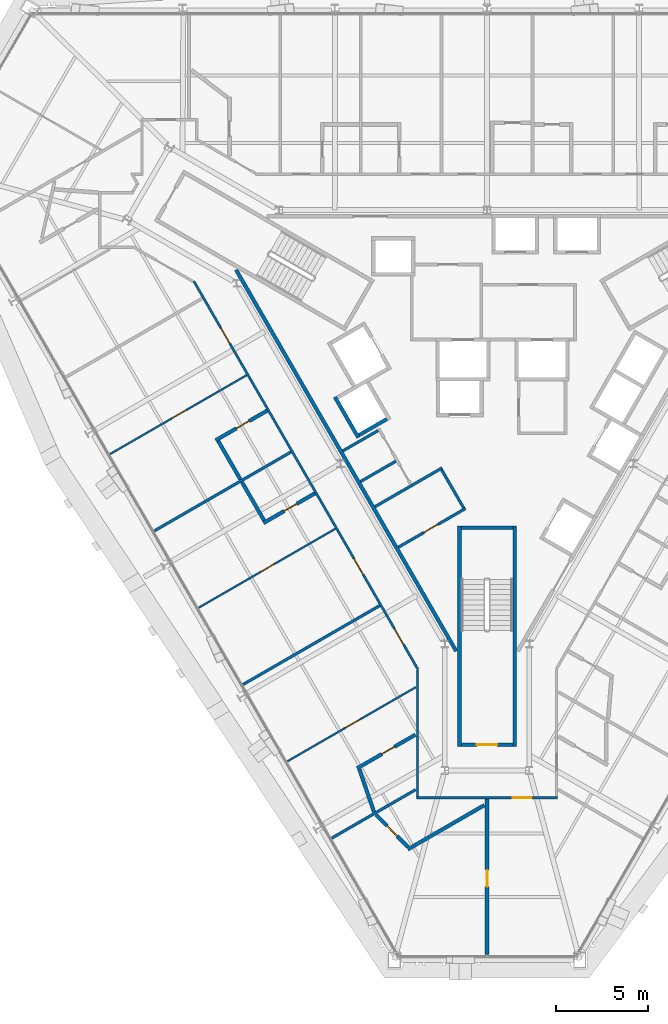
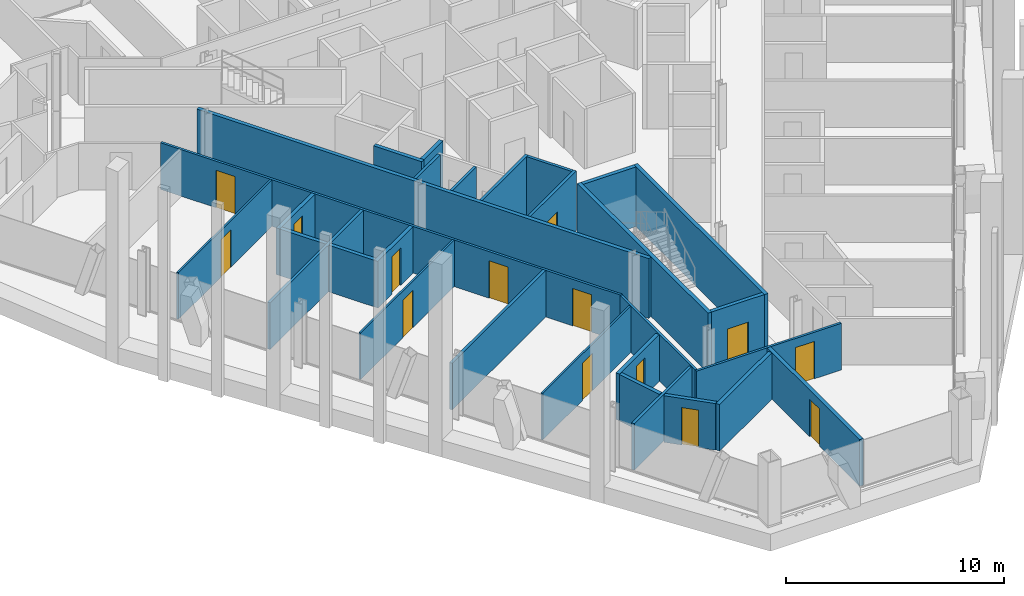
# One storey, part 10 of 17: 30 walls, 14 doors, 14 openings.
"""IFC4 building model written with IfcOpenShell, lengths in metres."""

from ifc_helpers import new_model, si_unit, direction, frame, frame_2d, origin, place, context, subcontext, project, spatial, rectangle, extrude, material, layer, layer_set, type_object, element, fill, save


model = new_model("IFC4")

# Units and contexts
model_context = context("Model", 3, precision=1e-05, world=origin(), true_north=direction((0.0, 1.0)))
body_context = subcontext(model_context, "Body", "Model", "MODEL_VIEW")
ifc_project = project(units=[si_unit("LENGTHUNIT", "METRE"), si_unit("AREAUNIT", "SQUARE_METRE"), si_unit("VOLUMEUNIT", "CUBIC_METRE"), si_unit("PLANEANGLEUNIT", "RADIAN"), si_unit("MASSUNIT", "GRAM", prefix="KILO")], contexts=[model_context])

# Site, building, storey
site_placement = place(None, origin())
site = spatial("IfcSite", under=ifc_project, at=site_placement, CompositionType="ELEMENT")
building_placement = place(site_placement, origin())
building = spatial("IfcBuilding", under=site, at=building_placement, Name="Verrane Prism Tower", CompositionType="ELEMENT")
storey_placement = place(building_placement, frame((0.0, 0.0, 132.39990234375)))
storey = spatial("IfcBuildingStorey", under=building, at=storey_placement, Name="L32", CompositionType="ELEMENT", Elevation=132.39990234375)

# Wall
ifc_material_1 = material(Name="Gypsum board partition", Category="other")
ifc_layer_1 = layer(ifc_material_1, 0.199951171875)
ifc_layer_set_1 = layer_set([ifc_layer_1], Name="CW-200 core boundary wall 2 h")
wall_type_1 = type_object("IfcWallType", Name="CW-200 core boundary wall 2 h", PredefinedType="PARTITIONING", material=ifc_layer_set_1)
wall_1_placement = place(storey_placement, frame((-13.66357421875, 5.946044921875, 0.0), z_axis=(0.0, 0.0, 1.0), x_axis=(0.499994327219, -0.866028678941, 0.0)))
element("IfcWall", 1, at=wall_1_placement, inside=storey, type_object=wall_type_1, Name="Core boundary wall CW3-001", PredefinedType="PARTITIONING", context=body_context, shape_type="SweptSolid", body=[
    extrude(rectangle(XDim=23.967529296875, YDim=0.199951171875, at=frame_2d((11.98388671875, 0.0))), origin(), (0.0, 0.0, 1.0), 3.35009765625),
])

# Wall, opening, door
ifc_material_2 = material(Name="Concrete C40/50", Category="concrete")
ifc_layer_2 = layer(ifc_material_2, 0.199951171875)
ifc_layer_set_2 = layer_set([ifc_layer_2], Name="CW-200 stair core wall concrete C40/50 3 h")
wall_type_2 = type_object("IfcWallType", Name="CW-200 stair core wall concrete C40/50 3 h", PredefinedType="PARTITIONING", material=ifc_layer_set_2)
wall_2_placement = place(storey_placement, frame((-1.39990234375, -19.89990234375, 0.0), z_axis=(0.0, 0.0, 1.0), x_axis=(1.0, 0.0, 0.0)))
wall_2 = element("IfcWall", 2, at=wall_2_placement, inside=storey, type_object=wall_type_2, Name="Stair 3 enclosure wall", PredefinedType="PARTITIONING", context=body_context, shape_type="SweptSolid", body=[
    extrude(rectangle(XDim=2.7998046875, YDim=0.199951171875, at=frame_2d((1.39990234375, 0.0))), origin(), (0.0, 0.0, 1.0), 3.35009765625),
])
opening_1_placement = place(wall_2_placement, frame((0.85009765625, 0.0, 0.0)))
opening_1 = element("IfcOpeningElement", 3, at=opening_1_placement, cuts=wall_2, Name="Opening D32502", PredefinedType="OPENING", context=body_context, shape_type="SweptSolid", body=[
    extrude(rectangle(XDim=1.10009765625, YDim=2.10009765625, at=frame_2d((0.550048828125, 1.050048828125))), frame((0.0, 0.10986328125, 0.0), z_axis=(0.0, -1.0, 0.0), x_axis=(1.0, 0.0, 0.0)), (0.0, 0.0, 1.0), 0.219970703125),
])
ifc_material_3 = material(Name="Timber veneered door leaf", Category="wood")
door_type_1 = type_object("IfcDoorType", Name="DR-1100x2100 FD90 single leaf stair", OperationType="NOTDEFINED", PredefinedType="DOOR", material=ifc_material_3)
door_1_placement = place(opening_1_placement, origin())
door_1 = element("IfcDoor", 4, at=door_1_placement, inside=storey, type_object=door_type_1, Name="Stair 3 door", OperationType="SINGLE_SWING_LEFT", OverallHeight=2.10009765625, OverallWidth=1.10009765625, PredefinedType="DOOR", context=body_context, shape_type="SweptSolid", body=[
    extrude(rectangle(XDim=1.10009765625, YDim=2.10009765625, at=frame_2d((0.550048828125, 1.050048828125))), frame((0.0, 0.02490234375, 0.0), z_axis=(0.0, -1.0, 0.0), x_axis=(1.0, 0.0, 0.0)), (0.0, 0.0, 1.0), 0.050048828125),
])
fill(opening_1, door_1)

# Walls
for number, where, z_axis, x_axis, name in (
    (5, (1.5, -8.0, 0.0), (0.0, 0.0, 1.0), (0.0, -1.0, 0.0), "Stair 3 enclosure wall"),
    (6, (-1.5, -8.0, 0.0), (0.0, 0.0, 1.0), (0.0, -1.0, 0.0), "Stair 3 enclosure wall"),
):
    element("IfcWall", number, at=place(storey_placement, frame(where, z_axis=z_axis, x_axis=x_axis)), inside=storey, type_object=wall_type_2, Name=name, PredefinedType="PARTITIONING", context=body_context, shape_type="SweptSolid", body=[
        extrude(rectangle(XDim=12.0, YDim=0.199951171875, at=frame_2d((6.0, 0.0))), origin(), (0.0, 0.0, 1.0), 3.35009765625),
    ])
wall_3_placement = place(storey_placement, frame((-1.39990234375, -8.10009765625, 0.0), z_axis=(0.0, 0.0, 1.0), x_axis=(1.0, 0.0, 0.0)))
element("IfcWall", 7, at=wall_3_placement, inside=storey, type_object=wall_type_2, Name="Stair 3 enclosure wall", PredefinedType="PARTITIONING", context=body_context, shape_type="SweptSolid", body=[
    extrude(rectangle(XDim=2.7998046875, YDim=0.199951171875, at=frame_2d((1.39990234375, 0.0))), origin(), (0.0, 0.0, 1.0), 3.35009765625),
])
ifc_material_4 = material(Name="Gypsum board shaft wall assembly", Category="other")
ifc_layer_3 = layer(ifc_material_4, 0.199951171875)
ifc_layer_set_3 = layer_set([ifc_layer_3], Name="HW-200 lift shaft wall 2 h")
wall_type_3 = type_object("IfcWallType", Name="HW-200 lift shaft wall 2 h", PredefinedType="PARTITIONING", material=ifc_layer_set_3)
wall_4_placement = place(storey_placement, frame((-6.9697265625, -3.048095703125, 0.0), z_axis=(0.0, 0.0, 1.0), x_axis=(0.866036909293, 0.499980071345, 0.0)))
element("IfcWall", 8, at=wall_4_placement, inside=storey, type_object=wall_type_3, Name="Lift shaft wall", PredefinedType="PARTITIONING", context=body_context, shape_type="SweptSolid", body=[
    extrude(rectangle(XDim=1.75, YDim=0.199951171875, at=frame_2d((0.875, 0.0))), origin(), (0.0, 0.0, 1.0), 3.60009765625),
])
wall_5_placement = place(storey_placement, frame((-7.00634765625, -3.184814453125, 0.0), z_axis=(0.0, 0.0, 1.0), x_axis=(-0.499990435942, 0.866030925526, 0.0)))
element("IfcWall", 9, at=wall_5_placement, inside=storey, type_object=wall_type_3, Name="Lift shaft wall", PredefinedType="PARTITIONING", context=body_context, shape_type="SweptSolid", body=[
    extrude(rectangle(XDim=2.5498046875, YDim=0.199951171875, at=frame_2d((1.27490234375, 0.0))), origin(), (0.0, 0.0, 1.0), 3.60009765625),
])

# Wall, opening, door
ifc_material_5 = material(Name="Gypsum board partition", Category="other")
ifc_layer_4 = layer(ifc_material_5, 0.10009765625)
ifc_layer_set_4 = layer_set([ifc_layer_4], Name="PW-100 room partition")
wall_type_4 = type_object("IfcWallType", Name="PW-100 room partition", PredefinedType="PARTITIONING", material=ifc_layer_set_4)
wall_6_placement = place(storey_placement, frame((-13.084228515625, 0.2158203125, 0.0), z_axis=(0.0, 0.0, 1.0), x_axis=(-0.866017120224, -0.500014347272, 0.0)))
wall_6 = element("IfcWall", 10, at=wall_6_placement, inside=storey, type_object=wall_type_4, Name="Room partition 011", PredefinedType="PARTITIONING", context=body_context, shape_type="SweptSolid", body=[
    extrude(rectangle(XDim=8.591552734375, YDim=0.10009765625, at=frame_2d((4.2958984375, 0.0))), origin(), (0.0, 0.0, 1.0), 2.613037109375),
])
opening_2_placement = place(wall_6_placement, frame((3.78759765625, 0.0, 0.0)))
opening_2 = element("IfcOpeningElement", 11, at=opening_2_placement, cuts=wall_6, Name="Opening D32038", PredefinedType="OPENING", context=body_context, shape_type="SweptSolid", body=[
    extrude(rectangle(XDim=0.89990234375, YDim=2.10009765625, at=frame_2d((0.449951171875, 1.050048828125))), frame((0.0, 0.06005859375, 0.0), z_axis=(0.0, -1.0, 0.0), x_axis=(1.0, 0.0, 0.0)), (0.0, 0.0, 1.0), 0.1201171875),
])
ifc_material_6 = material(Name="Timber veneered door leaf", Category="wood")
door_type_2 = type_object("IfcDoorType", Name="DR-900x2100 single leaf inner", OperationType="NOTDEFINED", PredefinedType="DOOR", material=ifc_material_6)
door_2_placement = place(opening_2_placement, origin())
door_2 = element("IfcDoor", 12, at=door_2_placement, inside=storey, type_object=door_type_2, Name="Suite Living Room door", OperationType="SINGLE_SWING_LEFT", OverallHeight=2.10009765625, OverallWidth=0.89990234375, PredefinedType="DOOR", context=body_context, shape_type="SweptSolid", body=[
    extrude(rectangle(XDim=0.89990234375, YDim=2.10009765625, at=frame_2d((0.449951171875, 1.050048828125))), frame((0.0, 0.02490234375, 0.0), z_axis=(0.0, -1.0, 0.0), x_axis=(1.0, 0.0, 0.0)), (0.0, 0.0, 1.0), 0.050048828125),
])
fill(opening_2, door_2)

wall_7_placement = place(storey_placement, frame((-15.69580078125, -12.444091796875, 0.0), z_axis=(0.0, 0.0, 1.0), x_axis=(0.866024224461, 0.500002042643, 0.0)))
wall_7 = element("IfcWall", 13, at=wall_7_placement, inside=storey, type_object=wall_type_4, Name="Room partition 024", PredefinedType="PARTITIONING", context=body_context, shape_type="SweptSolid", body=[
    extrude(rectangle(XDim=8.591796875, YDim=0.10009765625, at=frame_2d((4.2958984375, 0.0))), origin(), (0.0, 0.0, 1.0), 2.613037109375),
])
opening_3_placement = place(wall_7_placement, frame((3.904052734375, 0.0, 0.0)))
opening_3 = element("IfcOpeningElement", 14, at=opening_3_placement, cuts=wall_7, Name="Opening D32041", PredefinedType="OPENING", context=body_context, shape_type="SweptSolid", body=[
    extrude(rectangle(XDim=0.89990234375, YDim=2.10009765625, at=frame_2d((0.449951171875, 1.050048828125))), frame((0.0, 0.06005859375, 0.0), z_axis=(0.0, -1.0, 0.0), x_axis=(1.0, 0.0, 0.0)), (0.0, 0.0, 1.0), 0.1201171875),
])
door_3_placement = place(opening_3_placement, origin())
door_3 = element("IfcDoor", 15, at=door_3_placement, inside=storey, type_object=door_type_2, Name="Suite Living Room door", OperationType="SINGLE_SWING_LEFT", OverallHeight=2.10009765625, OverallWidth=0.89990234375, PredefinedType="DOOR", context=body_context, shape_type="SweptSolid", body=[
    extrude(rectangle(XDim=0.89990234375, YDim=2.10009765625, at=frame_2d((0.449951171875, 1.050048828125))), frame((0.0, 0.02490234375, 0.0), z_axis=(0.0, -1.0, 0.0), x_axis=(1.0, 0.0, 0.0)), (0.0, 0.0, 1.0), 0.050048828125),
])
fill(opening_3, door_3)

wall_8_placement = place(storey_placement, frame((-3.87451171875, -16.7724609375, 0.0), z_axis=(0.0, 0.0, 1.0), x_axis=(-0.866048113244, -0.499960663999, 0.0)))
wall_8 = element("IfcWall", 16, at=wall_8_placement, inside=storey, type_object=wall_type_4, Name="Room partition 033", PredefinedType="PARTITIONING", context=body_context, shape_type="SweptSolid", body=[
    extrude(rectangle(XDim=8.073486328125, YDim=0.10009765625, at=frame_2d((4.03662109375, 0.0))), origin(), (0.0, 0.0, 1.0), 2.613037109375),
])
opening_4_placement = place(wall_8_placement, frame((3.519775390625, 0.0, 0.0)))
opening_4 = element("IfcOpeningElement", 17, at=opening_4_placement, cuts=wall_8, Name="Opening D32044", PredefinedType="OPENING", context=body_context, shape_type="SweptSolid", body=[
    extrude(rectangle(XDim=0.89990234375, YDim=2.10009765625, at=frame_2d((0.449951171875, 1.050048828125))), frame((0.0, 0.06005859375, 0.0), z_axis=(0.0, -1.0, 0.0), x_axis=(1.0, 0.0, 0.0)), (0.0, 0.0, 1.0), 0.1201171875),
])
door_4_placement = place(opening_4_placement, origin())
door_4 = element("IfcDoor", 18, at=door_4_placement, inside=storey, type_object=door_type_2, Name="Suite Living Room door", OperationType="SINGLE_SWING_LEFT", OverallHeight=2.10009765625, OverallWidth=0.89990234375, PredefinedType="DOOR", context=body_context, shape_type="SweptSolid", body=[
    extrude(rectangle(XDim=0.89990234375, YDim=2.10009765625, at=frame_2d((0.449951171875, 1.050048828125))), frame((0.0, 0.02490234375, 0.0), z_axis=(0.0, -1.0, 0.0), x_axis=(1.0, 0.0, 0.0)), (0.0, 0.0, 1.0), 0.050048828125),
])
fill(opening_4, door_4)

# Wall, openings, doors
ifc_material_7 = material(Name="Gypsum board partition", Category="other")
ifc_layer_5 = layer(ifc_material_7, 0.125)
ifc_layer_set_5 = layer_set([ifc_layer_5], Name="PW-125 corridor wall 1 h")
wall_type_5 = type_object("IfcWallType", Name="PW-125 corridor wall 1 h", PredefinedType="PARTITIONING", material=ifc_layer_set_5)
wall_9_placement = place(storey_placement, frame((-3.755859375, -15.816162109375, 0.0), z_axis=(0.0, 0.0, 1.0), x_axis=(-0.499992829944, 0.866029543379, 0.0)))
wall_9 = element("IfcWall", 19, at=wall_9_placement, inside=storey, type_object=wall_type_5, Name="Corridor wall 021", PredefinedType="PARTITIONING", context=body_context, shape_type="SweptSolid", body=[
    extrude(rectangle(XDim=24.412841796875, YDim=0.125, at=frame_2d((12.20654296875, 0.0))), origin(), (0.0, 0.0, 1.0), 2.613037109375),
])
opening_5_placement = place(wall_9_placement, frame((20.4775390625, 0.0, 0.0)))
opening_5 = element("IfcOpeningElement", 20, at=opening_5_placement, cuts=wall_9, Name="Opening D32037", PredefinedType="OPENING", context=body_context, shape_type="SweptSolid", body=[
    extrude(rectangle(XDim=1.0, YDim=2.10009765625, at=frame_2d((0.5, 1.050048828125))), frame((0.0, 0.072509765625, 0.0), z_axis=(0.0, -1.0, 0.0), x_axis=(1.0, 0.0, 0.0)), (0.0, 0.0, 1.0), 0.14501953125),
])
opening_6_placement = place(wall_9_placement, frame((5.990478515625, 0.0, 0.0)))
opening_6 = element("IfcOpeningElement", 21, at=opening_6_placement, cuts=wall_9, Name="Opening D32040", PredefinedType="OPENING", context=body_context, shape_type="SweptSolid", body=[
    extrude(rectangle(XDim=1.0, YDim=2.10009765625, at=frame_2d((0.5, 1.050048828125))), frame((0.0, 0.072509765625, 0.0), z_axis=(0.0, -1.0, 0.0), x_axis=(1.0, 0.0, 0.0)), (0.0, 0.0, 1.0), 0.14501953125),
])
opening_7_placement = place(wall_9_placement, frame((1.560546875, 0.0, 0.0)))
opening_7 = element("IfcOpeningElement", 22, at=opening_7_placement, cuts=wall_9, Name="Opening D32043", PredefinedType="OPENING", context=body_context, shape_type="SweptSolid", body=[
    extrude(rectangle(XDim=1.0, YDim=2.10009765625, at=frame_2d((0.5, 1.050048828125))), frame((0.0, 0.072509765625, 0.0), z_axis=(0.0, -1.0, 0.0), x_axis=(1.0, 0.0, 0.0)), (0.0, 0.0, 1.0), 0.14501953125),
])
ifc_material_8 = material(Name="Timber veneered door leaf", Category="wood")
door_type_3 = type_object("IfcDoorType", Name="DR-1000x2100 FD20 single leaf unit", OperationType="NOTDEFINED", PredefinedType="DOOR", material=ifc_material_8)
door_5_placement = place(opening_5_placement, origin())
door_5 = element("IfcDoor", 23, at=door_5_placement, inside=storey, type_object=door_type_3, Name="Suite Living Room door", OperationType="SINGLE_SWING_RIGHT", OverallHeight=2.10009765625, OverallWidth=1.0, PredefinedType="DOOR", context=body_context, shape_type="SweptSolid", body=[
    extrude(rectangle(XDim=1.0, YDim=2.10009765625, at=frame_2d((0.5, 1.050048828125))), frame((0.0, 0.02490234375, 0.0), z_axis=(0.0, -1.0, 0.0), x_axis=(1.0, 0.0, 0.0)), (0.0, 0.0, 1.0), 0.050048828125),
])
fill(opening_5, door_5)
door_6_placement = place(opening_6_placement, origin())
door_6 = element("IfcDoor", 24, at=door_6_placement, inside=storey, type_object=door_type_3, Name="Suite Living Room door", OperationType="SINGLE_SWING_LEFT", OverallHeight=2.10009765625, OverallWidth=1.0, PredefinedType="DOOR", context=body_context, shape_type="SweptSolid", body=[
    extrude(rectangle(XDim=1.0, YDim=2.10009765625, at=frame_2d((0.5, 1.050048828125))), frame((0.0, 0.02490234375, 0.0), z_axis=(0.0, -1.0, 0.0), x_axis=(1.0, 0.0, 0.0)), (0.0, 0.0, 1.0), 0.050048828125),
])
fill(opening_6, door_6)
door_7_placement = place(opening_7_placement, origin())
door_7 = element("IfcDoor", 25, at=door_7_placement, inside=storey, type_object=door_type_3, Name="Suite Living Room door", OperationType="SINGLE_SWING_RIGHT", OverallHeight=2.10009765625, OverallWidth=1.0, PredefinedType="DOOR", context=body_context, shape_type="SweptSolid", body=[
    extrude(rectangle(XDim=1.0, YDim=2.10009765625, at=frame_2d((0.5, 1.050048828125))), frame((0.0, 0.02490234375, 0.0), z_axis=(0.0, -1.0, 0.0), x_axis=(1.0, 0.0, 0.0)), (0.0, 0.0, 1.0), 0.050048828125),
])
fill(opening_7, door_7)

# Wall
wall_10_placement = place(storey_placement, frame((-3.787109375, -22.721923828125, 0.0), z_axis=(0.0, 0.0, 1.0), x_axis=(0.0, 1.0, 0.0)))
element("IfcWall", 26, at=wall_10_placement, inside=storey, type_object=wall_type_5, Name="Corridor wall 044", PredefinedType="PARTITIONING", context=body_context, shape_type="SweptSolid", body=[
    extrude(rectangle(XDim=6.875, YDim=0.125, at=frame_2d((3.4375, 0.0))), origin(), (0.0, 0.0, 1.0), 2.613037109375),
])

# Wall, opening, door
wall_11_placement = place(storey_placement, frame((3.849609375, -22.787109375, 0.0), z_axis=(0.0, 0.0, 1.0), x_axis=(-1.0, 0.0, 0.0)))
wall_11 = element("IfcWall", 27, at=wall_11_placement, inside=storey, type_object=wall_type_5, Name="Corridor wall 045", PredefinedType="PARTITIONING", context=body_context, shape_type="SweptSolid", body=[
    extrude(rectangle(XDim=7.69921875, YDim=0.125, at=frame_2d((3.849609375, 0.0))), origin(), (0.0, 0.0, 1.0), 2.613037109375),
])
opening_8_placement = place(wall_11_placement, frame((1.449462890625, 0.0, 0.0)))
opening_8 = element("IfcOpeningElement", 28, at=opening_8_placement, cuts=wall_11, Name="Opening D32046", PredefinedType="OPENING", context=body_context, shape_type="SweptSolid", body=[
    extrude(rectangle(XDim=1.0, YDim=2.10009765625, at=frame_2d((0.5, 1.050048828125))), frame((0.0, 0.072509765625, 0.0), z_axis=(0.0, -1.0, 0.0), x_axis=(1.0, 0.0, 0.0)), (0.0, 0.0, 1.0), 0.14501953125),
])
door_8_placement = place(opening_8_placement, origin())
door_8 = element("IfcDoor", 29, at=door_8_placement, inside=storey, type_object=door_type_3, Name="Suite Living Room door", OperationType="SINGLE_SWING_LEFT", OverallHeight=2.10009765625, OverallWidth=1.0, PredefinedType="DOOR", context=body_context, shape_type="SweptSolid", body=[
    extrude(rectangle(XDim=1.0, YDim=2.10009765625, at=frame_2d((0.5, 1.050048828125))), frame((0.0, 0.02490234375, 0.0), z_axis=(0.0, -1.0, 0.0), x_axis=(1.0, 0.0, 0.0)), (0.0, 0.0, 1.0), 0.050048828125),
])
fill(opening_8, door_8)

# Walls
ifc_material_9 = material(Name="Gypsum board partition", Category="other")
ifc_layer_6 = layer(ifc_material_9, 0.14990234375)
ifc_layer_set_6 = layer_set([ifc_layer_6], Name="PW-150 demising wall 1 h")
wall_type_6 = type_object("IfcWallType", Name="PW-150 demising wall 1 h", PredefinedType="PARTITIONING", material=ifc_layer_set_6)
wall_12_placement = place(storey_placement, frame((-18.1103515625, -8.26171875, 0.0), z_axis=(0.0, 0.0, 1.0), x_axis=(0.866034625887, 0.499984026509, 0.0)))
element("IfcWall", 30, at=wall_12_placement, inside=storey, type_object=wall_type_6, Name="Demising wall 018", PredefinedType="PARTITIONING", context=body_context, shape_type="SweptSolid", body=[
    extrude(rectangle(XDim=8.591064453125, YDim=0.14990234375, at=frame_2d((4.29541015625, 0.0))), origin(), (0.0, 0.0, 1.0), 2.613037109375),
])
wall_13_placement = place(storey_placement, frame((-13.28076171875, -16.626953125, 0.0), z_axis=(0.0, 0.0, 1.0), x_axis=(0.866036528751, 0.499980730498, 0.0)))
element("IfcWall", 31, at=wall_13_placement, inside=storey, type_object=wall_type_6, Name="Demising wall 029", PredefinedType="PARTITIONING", context=body_context, shape_type="SweptSolid", body=[
    extrude(rectangle(XDim=8.591552734375, YDim=0.14990234375, at=frame_2d((4.2958984375, 0.0))), origin(), (0.0, 0.0, 1.0), 2.613037109375),
])
wall_14_placement = place(storey_placement, frame((-8.45166015625, -24.990966796875, 0.0), z_axis=(0.0, 0.0, 1.0), x_axis=(0.866039804031, 0.499975057213, 0.0)))
element("IfcWall", 32, at=wall_14_placement, inside=storey, type_object=wall_type_6, Name="Demising wall 036", PredefinedType="PARTITIONING", context=body_context, shape_type="SweptSolid", body=[
    extrude(rectangle(XDim=5.270751953125, YDim=0.14990234375, at=frame_2d((2.63525390625, 0.0))), origin(), (0.0, 0.0, 1.0), 2.613037109375),
])
ifc_material_10 = material(Name="Gypsum board partition", Category="other")
ifc_layer_7 = layer(ifc_material_10, 0.199951171875)
ifc_layer_set_7 = layer_set([ifc_layer_7], Name="PW-200 plumbing wall")
wall_type_7 = type_object("IfcWallType", Name="PW-200 plumbing wall", PredefinedType="PARTITIONING", material=ifc_layer_set_7)
wall_15_placement = place(storey_placement, frame((-14.636962890625, -3.36962890625, 0.0), z_axis=(0.0, 0.0, 1.0), x_axis=(0.50002218001, -0.866012597771, 0.0)))
element("IfcWall", 33, at=wall_15_placement, inside=storey, type_object=wall_type_7, Name="Plumbing wall 025", PredefinedType="PARTITIONING", context=body_context, shape_type="SweptSolid", body=[
    extrude(rectangle(XDim=2.4208984375, YDim=0.199951171875, at=frame_2d((1.21044921875, 0.0))), origin(), (0.0, 0.0, 1.0), 2.613037109375),
])

# Wall, opening, door
wall_16_placement = place(storey_placement, frame((-11.97021484375, -1.71435546875, 0.0), z_axis=(0.0, 0.0, 1.0), x_axis=(-0.866016035791, -0.500016225489, 0.0)))
wall_16 = element("IfcWall", 34, at=wall_16_placement, inside=storey, type_object=wall_type_7, Name="Plumbing wall 026", PredefinedType="PARTITIONING", context=body_context, shape_type="SweptSolid", body=[
    extrude(rectangle(XDim=3.2373046875, YDim=0.199951171875, at=frame_2d((1.61865234375, 0.0))), origin(), (0.0, 0.0, 1.0), 2.613037109375),
])
opening_9_placement = place(wall_16_placement, frame((1.13720703125, 0.0, 0.0)))
opening_9 = element("IfcOpeningElement", 35, at=opening_9_placement, cuts=wall_16, Name="Opening D32039", PredefinedType="OPENING", context=body_context, shape_type="SweptSolid", body=[
    extrude(rectangle(XDim=0.800048828125, YDim=2.10009765625, at=frame_2d((0.39990234375, 1.050048828125))), frame((0.0, 0.10986328125, 0.0), z_axis=(0.0, -1.0, 0.0), x_axis=(1.0, 0.0, 0.0)), (0.0, 0.0, 1.0), 0.219970703125),
])
ifc_material_11 = material(Name="Timber veneered door leaf", Category="wood")
door_type_4 = type_object("IfcDoorType", Name="DR-800x2100 single leaf bath", OperationType="NOTDEFINED", PredefinedType="DOOR", material=ifc_material_11)
door_9_placement = place(opening_9_placement, origin())
door_9 = element("IfcDoor", 36, at=door_9_placement, inside=storey, type_object=door_type_4, Name="En-Suite door", OperationType="SINGLE_SWING_RIGHT", OverallHeight=2.10009765625, OverallWidth=0.800048828125, PredefinedType="DOOR", context=body_context, shape_type="SweptSolid", body=[
    extrude(rectangle(XDim=0.800048828125, YDim=2.10009765625, at=frame_2d((0.39990234375, 1.050048828125))), frame((0.0, 0.02490234375, 0.0), z_axis=(0.0, -1.0, 0.0), x_axis=(1.0, 0.0, 0.0)), (0.0, 0.0, 1.0), 0.050048828125),
])
fill(opening_9, door_9)

# Wall
wall_17_placement = place(storey_placement, frame((-13.346435546875, -5.60400390625, 0.0), z_axis=(0.0, 0.0, 1.0), x_axis=(0.499719542643, -0.866187265377, 0.0)))
element("IfcWall", 37, at=wall_17_placement, inside=storey, type_object=wall_type_7, Name="Plumbing wall 028", PredefinedType="PARTITIONING", context=body_context, shape_type="SweptSolid", body=[
    extrude(rectangle(XDim=2.42041015625, YDim=0.199951171875, at=frame_2d((1.210205078125, 0.0))), origin(), (0.0, 0.0, 1.0), 2.613037109375),
])

# Wall, opening, door
wall_18_placement = place(storey_placement, frame((-12.173583984375, -7.8369140625, 0.0), z_axis=(0.0, 0.0, 1.0), x_axis=(0.866016035791, 0.500016225489, 0.0)))
wall_18 = element("IfcWall", 38, at=wall_18_placement, inside=storey, type_object=wall_type_7, Name="Plumbing wall 031", PredefinedType="PARTITIONING", context=body_context, shape_type="SweptSolid", body=[
    extrude(rectangle(XDim=3.2373046875, YDim=0.199951171875, at=frame_2d((1.61865234375, 0.0))), origin(), (0.0, 0.0, 1.0), 2.613037109375),
])
opening_10_placement = place(wall_18_placement, frame((1.300048828125, 0.0, 0.0)))
opening_10 = element("IfcOpeningElement", 39, at=opening_10_placement, cuts=wall_18, Name="Opening D32042", PredefinedType="OPENING", context=body_context, shape_type="SweptSolid", body=[
    extrude(rectangle(XDim=0.800048828125, YDim=2.10009765625, at=frame_2d((0.39990234375, 1.050048828125))), frame((0.0, 0.10986328125, 0.0), z_axis=(0.0, -1.0, 0.0), x_axis=(1.0, 0.0, 0.0)), (0.0, 0.0, 1.0), 0.219970703125),
])
door_10_placement = place(opening_10_placement, origin())
door_10 = element("IfcDoor", 40, at=door_10_placement, inside=storey, type_object=door_type_4, Name="En-Suite door", OperationType="SINGLE_SWING_RIGHT", OverallHeight=2.10009765625, OverallWidth=0.800048828125, PredefinedType="DOOR", context=body_context, shape_type="SweptSolid", body=[
    extrude(rectangle(XDim=0.800048828125, YDim=2.10009765625, at=frame_2d((0.39990234375, 1.050048828125))), frame((0.0, 0.02490234375, 0.0), z_axis=(0.0, -1.0, 0.0), x_axis=(1.0, 0.0, 0.0)), (0.0, 0.0, 1.0), 0.050048828125),
])
fill(opening_10, door_10)

# Wall
wall_19_placement = place(storey_placement, frame((-6.947998046875, -21.256591796875, 0.0), z_axis=(0.0, 0.0, 1.0), x_axis=(0.325034895309, -0.945702023278, 0.0)))
element("IfcWall", 41, at=wall_19_placement, inside=storey, type_object=wall_type_7, Name="Plumbing wall 037", PredefinedType="PARTITIONING", context=body_context, shape_type="SweptSolid", body=[
    extrude(rectangle(XDim=2.432861328125, YDim=0.199951171875, at=frame_2d((1.21630859375, 0.0))), origin(), (0.0, 0.0, 1.0), 2.613037109375),
])

# Wall, opening, door
wall_20_placement = place(storey_placement, frame((-3.8994140625, -19.36083984375, 0.0), z_axis=(0.0, 0.0, 1.0), x_axis=(-0.866103509397, -0.499864692702, 0.0)))
wall_20 = element("IfcWall", 42, at=wall_20_placement, inside=storey, type_object=wall_type_7, Name="Plumbing wall 038", PredefinedType="PARTITIONING", context=body_context, shape_type="SweptSolid", body=[
    extrude(rectangle(XDim=3.6650390625, YDim=0.199951171875, at=frame_2d((1.83251953125, 0.0))), origin(), (0.0, 0.0, 1.0), 2.613037109375),
])
opening_11_placement = place(wall_20_placement, frame((1.31494140625, 0.0, 0.0)))
opening_11 = element("IfcOpeningElement", 43, at=opening_11_placement, cuts=wall_20, Name="Opening D32045", PredefinedType="OPENING", context=body_context, shape_type="SweptSolid", body=[
    extrude(rectangle(XDim=0.800048828125, YDim=2.10009765625, at=frame_2d((0.39990234375, 1.050048828125))), frame((0.0, 0.10986328125, 0.0), z_axis=(0.0, -1.0, 0.0), x_axis=(1.0, 0.0, 0.0)), (0.0, 0.0, 1.0), 0.219970703125),
])
door_11_placement = place(opening_11_placement, origin())
door_11 = element("IfcDoor", 44, at=door_11_placement, inside=storey, type_object=door_type_4, Name="En-Suite door", OperationType="SINGLE_SWING_RIGHT", OverallHeight=2.10009765625, OverallWidth=0.800048828125, PredefinedType="DOOR", context=body_context, shape_type="SweptSolid", body=[
    extrude(rectangle(XDim=0.800048828125, YDim=2.10009765625, at=frame_2d((0.39990234375, 1.050048828125))), frame((0.0, 0.02490234375, 0.0), z_axis=(0.0, -1.0, 0.0), x_axis=(1.0, 0.0, 0.0)), (0.0, 0.0, 1.0), 0.050048828125),
])
fill(opening_11, door_11)

wall_21_placement = place(storey_placement, frame((-6.05224609375, -23.721923828125, 0.0), z_axis=(0.0, 0.0, 1.0), x_axis=(0.706958057502, -0.707255473597, 0.0)))
wall_21 = element("IfcWall", 45, at=wall_21_placement, inside=storey, type_object=wall_type_7, Name="Plumbing wall 041", PredefinedType="PARTITIONING", context=body_context, shape_type="SweptSolid", body=[
    extrude(rectangle(XDim=2.462646484375, YDim=0.199951171875, at=frame_2d((1.2314453125, 0.0))), origin(), (0.0, 0.0, 1.0), 2.613037109375),
])
opening_12_placement = place(wall_21_placement, frame((0.845703125, 0.0, 0.0)))
opening_12 = element("IfcOpeningElement", 46, at=opening_12_placement, cuts=wall_21, Name="Opening D32048", PredefinedType="OPENING", context=body_context, shape_type="SweptSolid", body=[
    extrude(rectangle(XDim=0.800048828125, YDim=2.10009765625, at=frame_2d((0.39990234375, 1.050048828125))), frame((0.0, 0.10986328125, 0.0), z_axis=(0.0, -1.0, 0.0), x_axis=(1.0, 0.0, 0.0)), (0.0, 0.0, 1.0), 0.219970703125),
])
door_12_placement = place(opening_12_placement, origin())
door_12 = element("IfcDoor", 47, at=door_12_placement, inside=storey, type_object=door_type_4, Name="En-Suite door", OperationType="SINGLE_SWING_RIGHT", OverallHeight=2.10009765625, OverallWidth=0.800048828125, PredefinedType="DOOR", context=body_context, shape_type="SweptSolid", body=[
    extrude(rectangle(XDim=0.800048828125, YDim=2.10009765625, at=frame_2d((0.39990234375, 1.050048828125))), frame((0.0, 0.02490234375, 0.0), z_axis=(0.0, -1.0, 0.0), x_axis=(1.0, 0.0, 0.0)), (0.0, 0.0, 1.0), 0.050048828125),
])
fill(opening_12, door_12)

# Wall
wall_22_placement = place(storey_placement, frame((-4.3095703125, -25.60205078125, 0.0), z_axis=(0.0, 0.0, 1.0), x_axis=(0.866045077667, 0.499965922287, 0.0)))
element("IfcWall", 48, at=wall_22_placement, inside=storey, type_object=wall_type_7, Name="Plumbing wall 043", PredefinedType="PARTITIONING", context=body_context, shape_type="SweptSolid", body=[
    extrude(rectangle(XDim=4.802978515625, YDim=0.199951171875, at=frame_2d((2.4013671875, 0.0))), origin(), (0.0, 0.0, 1.0), 2.613037109375),
])

# Wall, opening, door
wall_23_placement = place(storey_placement, frame((0.0, -31.340087890625, 0.0), z_axis=(0.0, 0.0, 1.0), x_axis=(0.0, 1.0, 0.0)))
wall_23 = element("IfcWall", 49, at=wall_23_placement, inside=storey, type_object=wall_type_7, Name="Plumbing wall 047", PredefinedType="PARTITIONING", context=body_context, shape_type="SweptSolid", body=[
    extrude(rectangle(XDim=8.490478515625, YDim=0.199951171875, at=frame_2d((4.2451171875, 0.0))), origin(), (0.0, 0.0, 1.0), 2.613037109375),
])
opening_13_placement = place(wall_23_placement, frame((3.7041015625, 0.0, 0.0)))
opening_13 = element("IfcOpeningElement", 50, at=opening_13_placement, cuts=wall_23, Name="Opening D32047", PredefinedType="OPENING", context=body_context, shape_type="SweptSolid", body=[
    extrude(rectangle(XDim=0.89990234375, YDim=2.10009765625, at=frame_2d((0.449951171875, 1.050048828125))), frame((0.0, 0.10986328125, 0.0), z_axis=(0.0, -1.0, 0.0), x_axis=(1.0, 0.0, 0.0)), (0.0, 0.0, 1.0), 0.219970703125),
])
door_13_placement = place(opening_13_placement, origin())
door_13 = element("IfcDoor", 51, at=door_13_placement, inside=storey, type_object=door_type_2, Name="Suite Living Room door", OperationType="SINGLE_SWING_LEFT", OverallHeight=2.10009765625, OverallWidth=0.89990234375, PredefinedType="DOOR", context=body_context, shape_type="SweptSolid", body=[
    extrude(rectangle(XDim=0.89990234375, YDim=2.10009765625, at=frame_2d((0.449951171875, 1.050048828125))), frame((0.0, 0.02490234375, 0.0), z_axis=(0.0, -1.0, 0.0), x_axis=(1.0, 0.0, 0.0)), (0.0, 0.0, 1.0), 0.050048828125),
])
fill(opening_13, door_13)

# Walls
ifc_material_12 = material(Name="Gypsum board partition", Category="other")
ifc_layer_8 = layer(ifc_material_12, 0.14990234375)
ifc_layer_set_8 = layer_set([ifc_layer_8], Name="RS-150 riser enclosure wall 1 h")
wall_type_8 = type_object("IfcWallType", Name="RS-150 riser enclosure wall 1 h", PredefinedType="PARTITIONING", material=ifc_layer_set_8)
wall_24_placement = place(storey_placement, frame((-7.8564453125, -3.912109375, 0.0), z_axis=(0.0, 0.0, 1.0), x_axis=(0.865971748, 0.500092923031, 0.0)))
element("IfcWall", 52, at=wall_24_placement, inside=storey, type_object=wall_type_8, Name="Riser wall RS3-001", PredefinedType="PARTITIONING", context=body_context, shape_type="SweptSolid", body=[
    extrude(rectangle(XDim=2.224609375, YDim=0.14990234375, at=frame_2d((1.1123046875, 0.0))), origin(), (0.0, 0.0, 1.0), 3.35009765625),
])
wall_25_placement = place(storey_placement, frame((-6.892333984375, -5.58203125, 0.0), z_axis=(0.0, 0.0, 1.0), x_axis=(0.865944298464, 0.500140452231, 0.0)))
element("IfcWall", 53, at=wall_25_placement, inside=storey, type_object=wall_type_8, Name="Riser wall RS3-002", PredefinedType="PARTITIONING", context=body_context, shape_type="SweptSolid", body=[
    extrude(rectangle(XDim=2.224365234375, YDim=0.14990234375, at=frame_2d((1.1123046875, 0.0))), origin(), (0.0, 0.0, 1.0), 3.35009765625),
])
wall_26_placement = place(storey_placement, frame((-6.10009765625, -6.945556640625, 0.0), z_axis=(0.0, 0.0, 1.0), x_axis=(0.866038200431, 0.499977834903, 0.0)))
element("IfcWall", 54, at=wall_26_placement, inside=storey, type_object=wall_type_8, Name="Riser wall RS3-003", PredefinedType="PARTITIONING", context=body_context, shape_type="SweptSolid", body=[
    extrude(rectangle(XDim=4.220458984375, YDim=0.14990234375, at=frame_2d((2.1103515625, 0.0))), origin(), (0.0, 0.0, 1.0), 3.35009765625),
])

# Wall, opening, door
wall_27_placement = place(storey_placement, frame((-4.824951171875, -9.153564453125, 0.0), z_axis=(0.0, 0.0, 1.0), x_axis=(0.866023738697, 0.500002884005, 0.0)))
wall_27 = element("IfcWall", 55, at=wall_27_placement, inside=storey, type_object=wall_type_8, Name="Riser wall RS3-005", PredefinedType="PARTITIONING", context=body_context, shape_type="SweptSolid", body=[
    extrude(rectangle(XDim=4.22021484375, YDim=0.14990234375, at=frame_2d((2.110107421875, 0.0))), origin(), (0.0, 0.0, 1.0), 3.35009765625),
])
opening_14_placement = place(wall_27_placement, frame((1.594970703125, 0.0, 0.0)))
opening_14 = element("IfcOpeningElement", 56, at=opening_14_placement, cuts=wall_27, Name="Opening D32514", PredefinedType="OPENING", context=body_context, shape_type="SweptSolid", body=[
    extrude(rectangle(XDim=0.89990234375, YDim=2.10009765625, at=frame_2d((0.449951171875, 1.050048828125))), frame((0.0, 0.0849609375, 0.0), z_axis=(0.0, -1.0, 0.0), x_axis=(1.0, 0.0, 0.0)), (0.0, 0.0, 1.0), 0.169921875),
])
ifc_material_13 = material(Name="Timber veneered door leaf", Category="wood")
door_type_5 = type_object("IfcDoorType", Name="DR-900x2100 FD20 single leaf store", OperationType="NOTDEFINED", PredefinedType="DOOR", material=ifc_material_13)
door_14_placement = place(opening_14_placement, origin())
door_14 = element("IfcDoor", 57, at=door_14_placement, inside=storey, type_object=door_type_5, Name="Room door D32514", OperationType="SINGLE_SWING_LEFT", OverallHeight=2.10009765625, OverallWidth=0.89990234375, PredefinedType="DOOR", context=body_context, shape_type="SweptSolid", body=[
    extrude(rectangle(XDim=0.89990234375, YDim=2.10009765625, at=frame_2d((0.449951171875, 1.050048828125))), frame((0.0, 0.02490234375, 0.0), z_axis=(0.0, -1.0, 0.0), x_axis=(1.0, 0.0, 0.0)), (0.0, 0.0, 1.0), 0.050048828125),
])
fill(opening_14, door_14)

# Wall
wall_28_placement = place(storey_placement, frame((-2.472412109375, -4.93798828125, 0.0), z_axis=(0.0, 0.0, 1.0), x_axis=(0.500045362686, -0.865999212041, 0.0)))
element("IfcWall", 58, at=wall_28_placement, inside=storey, type_object=wall_type_8, Name="Riser wall RS3-006", PredefinedType="PARTITIONING", context=body_context, shape_type="SweptSolid", body=[
    extrude(rectangle(XDim=2.399658203125, YDim=0.14990234375, at=frame_2d((1.19970703125, 0.0))), origin(), (0.0, 0.0, 1.0), 3.35009765625),
])

save(model, "model.ifc")
